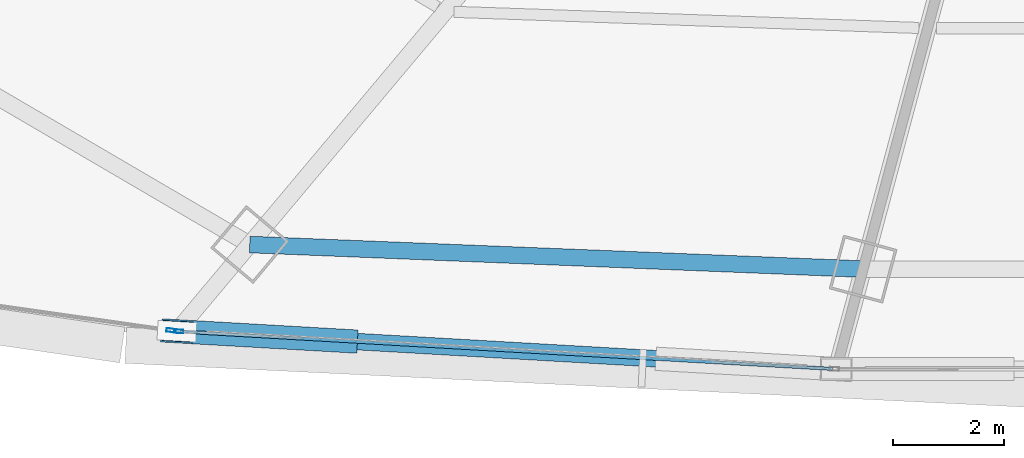
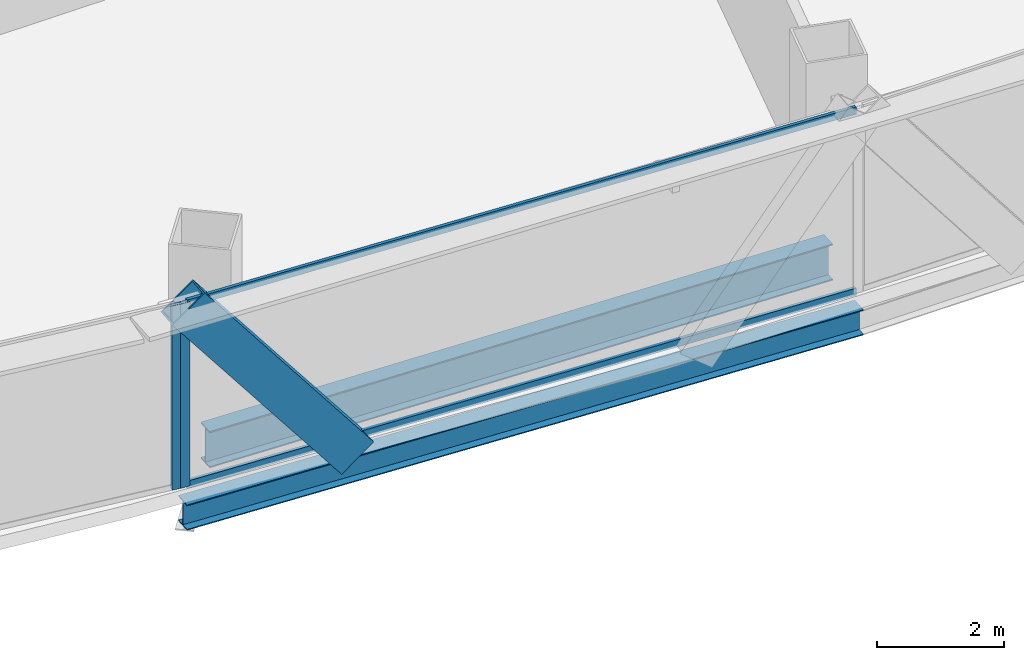
# One storey, part 6 of 39: 5 members, 2 beams, 2 elements without a shape of their own.
"""IFC4 building model written with IfcOpenShell, lengths in metres."""

from ifc_helpers import new_model, si_unit, direction, frame, origin, origin_2d, place, context, subcontext, project, spatial, hollow_rectangle, i_section, extrude, source, transform, mapped, material, layer, layer_set, material_profile, profile_set, type_object, element, aggregate, save


model = new_model("IFC4")

# Units and contexts
model_context = context("Model", 3, precision=1e-05, world=origin(), true_north=direction((0.0, 1.0)))
body_context = subcontext(model_context, "Body", "Model", "MODEL_VIEW")
ifc_project = project(units=[si_unit("LENGTHUNIT", "METRE"), si_unit("AREAUNIT", "SQUARE_METRE"), si_unit("VOLUMEUNIT", "CUBIC_METRE"), si_unit("PLANEANGLEUNIT", "RADIAN"), si_unit("MASSUNIT", "GRAM", prefix="KILO"), si_unit("THERMODYNAMICTEMPERATUREUNIT", "KELVIN"), si_unit("POWERUNIT", "WATT")], contexts=[model_context])

# Site, building, storey
site_placement = place(None, origin())
site = spatial("IfcSite", under=ifc_project, at=site_placement, CompositionType="ELEMENT")
building_placement = place(site_placement, origin())
building = spatial("IfcBuilding", under=site, at=building_placement, Name="Yunzhuo Pagoda Commons", CompositionType="ELEMENT")
storey_placement = place(building_placement, frame((0.0, 0.0, 92.580078125)))
storey = spatial("IfcBuildingStorey", under=building, at=storey_placement, Name="L23", CompositionType="ELEMENT", Elevation=92.580078125)

# Beams
ifc_material_1 = material(Name="Structural steel Q355B", Category="steel")
ifc_material_profile_1 = material_profile(ifc_material_1, i_section(OverallWidth=0.300048828125, OverallDepth=0.699951171875, WebThickness=0.012939453125, FlangeThickness=0.02392578125, at=origin_2d()), Name="Structural steel Q355B")
ifc_profile_set_1 = profile_set([ifc_material_profile_1], Name="Structural steel Q355B")
beam_type_1 = type_object("IfcBeamType", Name="B-RG1 Beam HN 700x300x13x24", PredefinedType="BEAM", material=ifc_profile_set_1)
shared_shape_1 = source(origin(), body_context, "Body", "SweptSolid", [
    extrude(i_section(OverallWidth=0.300048828125, OverallDepth=0.699951171875, WebThickness=0.012939453125, FlangeThickness=0.02392578125, at=origin_2d()), origin(), (0.0, 0.0, 1.0), 11.077392578125),
])
beam_1_placement = place(storey_placement, frame((31.56396484375, 14.1123046875, -0.610107421875), z_axis=(0.999196975427, -0.040067496776, 0.0), x_axis=(0.040067496776, 0.999196975427, 0.0)))
element("IfcBeam", 1, at=beam_1_placement, inside=storey, type_object=beam_type_1, Name="L23 column-ring beam 1", PredefinedType="BEAM", context=body_context, shape_type="MappedRepresentation", body=[
    mapped(shared_shape_1, transform((0.0, 0.0, 0.0), scale=1.0)),
])
ifc_material_profile_2 = material_profile(ifc_material_1, i_section(OverallWidth=0.300048828125, OverallDepth=0.488037109375, WebThickness=0.010986328125, FlangeThickness=0.01806640625, at=origin_2d()), Name="Structural steel Q355B")
ifc_profile_set_2 = profile_set([ifc_material_profile_2], Name="Structural steel Q355B")
beam_type_2 = type_object("IfcBeamType", Name="B-SP1 Beam HM 488x300x11x18", PredefinedType="BEAM", material=ifc_profile_set_2)
shared_shape_2 = source(origin(), body_context, "Body", "SweptSolid", [
    extrude(i_section(OverallWidth=0.300048828125, OverallDepth=0.488037109375, WebThickness=0.010986328125, FlangeThickness=0.01806640625, at=origin_2d()), origin(), (0.0, 0.0, 1.0), 11.918212890625),
])
beam_2_placement = place(storey_placement, frame((30.25048828125, 12.547119140625, -0.504150390625), z_axis=(0.998357270024, -0.057295387165, 0.0), x_axis=(0.057295387165, 0.998357270024, 0.0)))
element("IfcBeam", 2, at=beam_2_placement, inside=storey, type_object=beam_type_2, Name="L23 facade edge spandrel beam F1.1", PredefinedType="BEAM", context=body_context, shape_type="MappedRepresentation", body=[
    mapped(shared_shape_2, transform((0.0, 0.0, 0.0), scale=1.0)),
])

# Member
ifc_material_2 = material(Name="Structural steel Q420B", Category="steel")
ifc_material_profile_3 = material_profile(ifc_material_2, hollow_rectangle(XDim=0.419921875, YDim=0.719970703125, WallThickness=0.028076171875, at=origin_2d()), Name="Structural steel Q420B")
ifc_profile_set_3 = profile_set([ifc_material_profile_3], Name="Structural steel Q420B")
member_type_1 = type_object("IfcMemberType", Name="M-DL1 Brace BOX 720x420x28", PredefinedType="BRACE", material=ifc_profile_set_3)
shared_shape_3 = source(origin(), body_context, "Body", "SweptSolid", [
    extrude(hollow_rectangle(XDim=0.419921875, YDim=0.719970703125, WallThickness=0.028076171875, at=origin_2d()), origin(), (0.0, 0.0, 1.0), 4.828857421875),
])
member_1_placement = place(storey_placement, frame((33.22509765625, 12.37646484375, -0.260009765625), z_axis=(-0.616007788476, 0.035340565015, 0.786946916254), x_axis=(-0.057276141142, -0.998358374361, 0.0)))
element("IfcMember", 3, at=member_1_placement, inside=storey, type_object=member_type_1, Name="L23 facade diamond brace F1.1L", PredefinedType="BRACE", context=body_context, shape_type="MappedRepresentation", body=[
    mapped(shared_shape_3, transform((0.0, 0.0, 0.0), scale=1.0)),
])

# Curtain wall, member
ifc_material_3 = material(Name="Anodized aluminium 6063-T6", Category="aluminium")
ifc_layer = layer(ifc_material_3, 0.1650390625)
ifc_layer_set = layer_set([ifc_layer], Name="Anodized aluminium 6063-T6")
curtain_wall_type = type_object("IfcCurtainWallType", Name="CW-LOW Low-Zone Ribbon Curtain Wall", PredefinedType="NOTDEFINED", material=ifc_layer_set)
curtain_wall_1_placement = place(storey_placement, origin())
curtain_wall_1 = element("IfcCurtainWall", 4, at=curtain_wall_1_placement, inside=storey, type_object=curtain_wall_type, Name="L23 curtain wall CW-L23-F1B2", PredefinedType="NOTDEFINED")
ifc_material_profile_4 = material_profile(ifc_material_3, hollow_rectangle(XDim=0.06494140625, YDim=0.1650390625, WallThickness=0.00390625, at=origin_2d()), Name="Anodized aluminium 6063-T6")
ifc_profile_set_4 = profile_set([ifc_material_profile_4], Name="Anodized aluminium 6063-T6")
member_type_2 = type_object("IfcMemberType", Name="CW-LOW-M Mullion RHS 165x65x4", PredefinedType="MULLION", material=ifc_profile_set_4)
shared_shape_4 = source(origin(), body_context, "Body", "SweptSolid", [
    extrude(hollow_rectangle(XDim=0.06494140625, YDim=0.1650390625, WallThickness=0.00390625, at=origin_2d()), origin(), (0.0, 0.0, 1.0), 3.5400390625),
])
member_2_placement = place(storey_placement, frame((30.282958984375, 12.545166015625, 0.0), z_axis=(0.0, 0.0, 1.0), x_axis=(0.057299493103, 0.998357034377, 0.0)))
member_2 = element("IfcMember", 5, at=member_2_placement, type_object=member_type_2, Name="CW mullion 1", PredefinedType="MULLION", context=body_context, shape_type="MappedRepresentation", body=[
    mapped(shared_shape_4, transform((0.0, 0.0, 0.0), scale=1.0)),
])

curtain_wall_2_placement = place(storey_placement, origin())
curtain_wall_2 = element("IfcCurtainWall", 6, at=curtain_wall_2_placement, inside=storey, type_object=curtain_wall_type, Name="L23 curtain wall CW-L23-F1B1", PredefinedType="NOTDEFINED")
member_3_placement = place(storey_placement, frame((30.14404296875, 12.562255859375, 0.0), z_axis=(0.0, 0.0, 1.0), x_axis=(0.140773671614, 0.990041803855, 0.0)))
member_3 = element("IfcMember", 7, at=member_3_placement, type_object=member_type_2, Name="CW mullion 2", PredefinedType="MULLION", context=body_context, shape_type="MappedRepresentation", body=[
    mapped(shared_shape_4, transform((0.0, 0.0, 0.0), scale=1.0)),
])
aggregate(curtain_wall_2, [member_3])

# Member
ifc_material_profile_5 = material_profile(ifc_material_3, hollow_rectangle(XDim=0.06005859375, YDim=0.139892578125, WallThickness=0.00341796875, at=origin_2d()), Name="Anodized aluminium 6063-T6")
ifc_profile_set_5 = profile_set([ifc_material_profile_5], Name="Anodized aluminium 6063-T6")
member_type_3 = type_object("IfcMemberType", Name="CW-LOW-T Transom RHS 140x60x3.5", PredefinedType="USERDEFINED", material=ifc_profile_set_5)
shared_shape_5 = source(origin(), body_context, "Body", "SweptSolid", [
    extrude(hollow_rectangle(XDim=0.06005859375, YDim=0.139892578125, WallThickness=0.00341796875, at=origin_2d()), origin(), (0.0, 0.0, 1.0), 11.788330078125),
])
member_4_placement = place(storey_placement, frame((30.3154296875, 12.54345703125, 0.030029296875), z_axis=(0.998356708557, -0.057305169742, 0.0), x_axis=(0.057305169742, 0.998356708557, 0.0)))
member_4 = element("IfcMember", 8, at=member_4_placement, type_object=member_type_3, Name="CW transom 1.1", ObjectType="TRANSOM", PredefinedType="USERDEFINED", context=body_context, shape_type="MappedRepresentation", body=[
    mapped(shared_shape_5, transform((0.0, 0.0, 0.0), scale=1.0)),
])

member_5_placement = place(storey_placement, frame((30.3154296875, 12.54345703125, 3.510009765625), z_axis=(0.998356708557, -0.057305169742, 0.0), x_axis=(0.057305169742, 0.998356708557, 0.0)))
member_5 = element("IfcMember", 9, at=member_5_placement, type_object=member_type_3, Name="CW transom 1.2", ObjectType="TRANSOM", PredefinedType="USERDEFINED", context=body_context, shape_type="MappedRepresentation", body=[
    mapped(shared_shape_5, transform((0.0, 0.0, 0.0), scale=1.0)),
])

aggregate(curtain_wall_1, [member_2, member_4, member_5])

save(model, "model.ifc")
